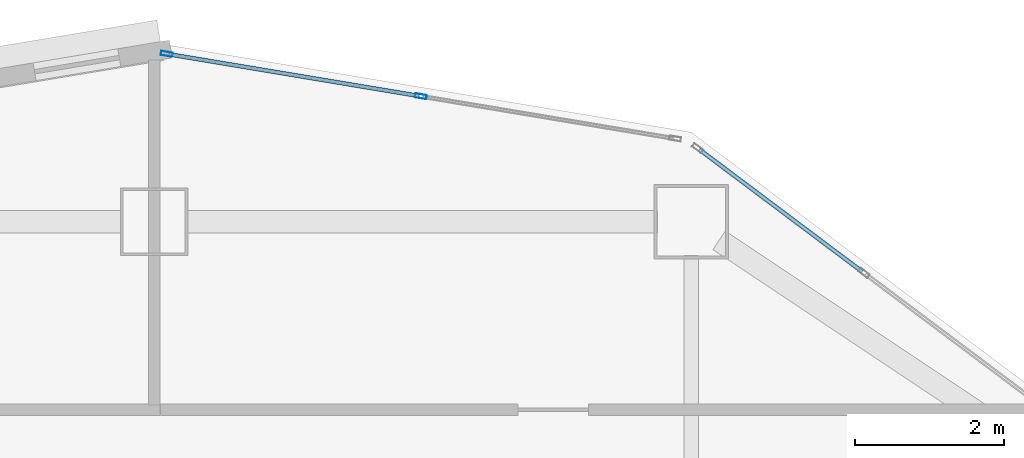
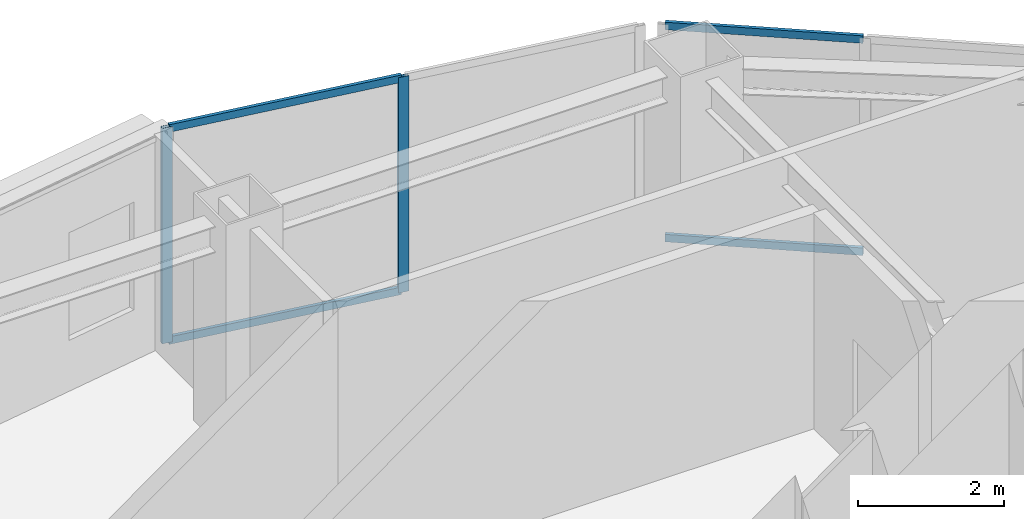
# One storey, part 2 of 13: 6 members, 2 elements without a shape of their own.
"""IFC4 building model written with IfcOpenShell, lengths in metres."""

from ifc_helpers import new_model, si_unit, direction, frame, origin, origin_2d, place, context, subcontext, project, spatial, hollow_rectangle, extrude, material, layer, layer_set, material_profile, profile_set, type_object, element, aggregate, save


model = new_model("IFC4")

# Units and contexts
model_context = context("Model", 3, precision=1e-05, world=origin(), true_north=direction((0.0, 1.0)))
body_context = subcontext(model_context, "Body", "Model", "MODEL_VIEW")
ifc_project = project(units=[si_unit("LENGTHUNIT", "METRE"), si_unit("AREAUNIT", "SQUARE_METRE"), si_unit("VOLUMEUNIT", "CUBIC_METRE"), si_unit("PLANEANGLEUNIT", "RADIAN"), si_unit("MASSUNIT", "GRAM", prefix="KILO")], contexts=[model_context])

# Site, building, storey
site_placement = place(None, origin())
site = spatial("IfcSite", under=ifc_project, at=site_placement, CompositionType="ELEMENT")
building_placement = place(site_placement, origin())
building = spatial("IfcBuilding", under=site, at=building_placement, Name="Haolan Belvedere Tower", CompositionType="ELEMENT")
storey_placement = place(building_placement, frame((0.0, 0.0, 106.0)))
storey = spatial("IfcBuildingStorey", under=building, at=storey_placement, Name="L26", CompositionType="ELEMENT", Elevation=106.0)

# Curtain wall, members
ifc_material_1 = material(Name="Anodised champagne-silver aluminium 6063-T6 and Low-E glass", Category="aluminium")
ifc_layer = layer(ifc_material_1, 0.155029296875, Name="Anodised champagne-silver aluminium 6063-T6 and Low-E glass")
ifc_layer_set = layer_set([ifc_layer], Name="Anodised champagne-silver aluminium 6063-T6 and Low-E glass")
curtain_wall_type = type_object("IfcCurtainWallType", Name="CW-SYS-03", PredefinedType="NOTDEFINED", material=ifc_layer_set)
curtain_wall_1_placement = place(storey_placement, origin())
curtain_wall_1 = element("IfcCurtainWall", 1, at=curtain_wall_1_placement, inside=storey, type_object=curtain_wall_type, Name="L26 CW-SYS-03 ribbon curtain wall 27.1", PredefinedType="NOTDEFINED")
ifc_material_2 = material(Name="Anodised aluminium 6063-T6", Category="aluminium")
ifc_material_profile_1 = material_profile(ifc_material_2, hollow_rectangle(XDim=0.05810546875, YDim=0.155029296875, WallThickness=0.00390625, at=origin_2d()), Name="Anodised aluminium 6063-T6")
ifc_profile_set_1 = profile_set([ifc_material_profile_1], Name="Anodised aluminium 6063-T6")
member_type_1 = type_object("IfcMemberType", Name="CW-SYS-03-MUL", PredefinedType="MULLION", material=ifc_profile_set_1)
member_1_placement = place(storey_placement, frame((41.9755859375, 52.082275390625, 0.0), z_axis=(0.0, 0.0, 1.0), x_axis=(-0.16440364043, -0.9863931483, 0.0)))
member_1 = element("IfcMember", 2, at=member_1_placement, type_object=member_type_1, Name="CW-03 mullion 2", PredefinedType="MULLION", context=body_context, shape_type="SweptSolid", body=[
    extrude(hollow_rectangle(XDim=0.05810546875, YDim=0.155029296875, WallThickness=0.00390625, at=origin_2d()), origin(), (0.0, 0.0, 1.0), 3.60009765625),
])
member_2_placement = place(storey_placement, frame((38.566650390625, 52.650634765625, 0.0), z_axis=(0.0, 0.0, 1.0), x_axis=(-0.16440364043, -0.9863931483, 0.0)))
member_2 = element("IfcMember", 3, at=member_2_placement, type_object=member_type_1, Name="CW-03 mullion 3", PredefinedType="MULLION", context=body_context, shape_type="SweptSolid", body=[
    extrude(hollow_rectangle(XDim=0.05810546875, YDim=0.155029296875, WallThickness=0.00390625, at=origin_2d()), origin(), (0.0, 0.0, 1.0), 3.60009765625),
])

curtain_wall_2_placement = place(storey_placement, origin())
curtain_wall_2 = element("IfcCurtainWall", 4, at=curtain_wall_2_placement, inside=storey, type_object=curtain_wall_type, Name="L26 CW-SYS-03 ribbon curtain wall 26.1", PredefinedType="NOTDEFINED")
ifc_material_profile_2 = material_profile(ifc_material_2, hollow_rectangle(XDim=0.053955078125, YDim=0.125, WallThickness=0.00390625, at=origin_2d()), Name="Anodised aluminium 6063-T6")
ifc_profile_set_2 = profile_set([ifc_material_profile_2], Name="Anodised aluminium 6063-T6")
member_type_2 = type_object("IfcMemberType", Name="CW-SYS-03-TRN", PredefinedType="USERDEFINED", material=ifc_profile_set_2)
member_3_placement = place(storey_placement, frame((47.892578125, 49.730712890625, 0.027099609375), z_axis=(-0.800032211306, 0.59995704919, 0.0), x_axis=(-0.59995704919, -0.800032211306, 0.0)))
member_3 = element("IfcMember", 5, at=member_3_placement, type_object=member_type_2, Name="CW-03 transom 2.1", ObjectType="TRANSOM", PredefinedType="USERDEFINED", context=body_context, shape_type="SweptSolid", body=[
    extrude(hollow_rectangle(XDim=0.053955078125, YDim=0.125, WallThickness=0.00390625, at=origin_2d()), origin(), (0.0, 0.0, 1.0), 2.728515625),
])
member_4_placement = place(storey_placement, frame((47.892578125, 49.730712890625, 3.572998046875), z_axis=(-0.800032211306, 0.59995704919, 0.0), x_axis=(-0.59995704919, -0.800032211306, 0.0)))
member_4 = element("IfcMember", 6, at=member_4_placement, type_object=member_type_2, Name="CW-03 transom 2.2", ObjectType="TRANSOM", PredefinedType="USERDEFINED", context=body_context, shape_type="SweptSolid", body=[
    extrude(hollow_rectangle(XDim=0.053955078125, YDim=0.125, WallThickness=0.00390625, at=origin_2d()), origin(), (0.0, 0.0, 1.0), 2.728515625),
])
aggregate(curtain_wall_2, [member_3, member_4])

# Member
member_5_placement = place(storey_placement, frame((41.947021484375, 52.087158203125, 0.027099609375), z_axis=(-0.986395865591, 0.16438733633, 0.0), x_axis=(-0.16438733633, -0.986395865591, 0.0)))
member_5 = element("IfcMember", 7, at=member_5_placement, type_object=member_type_2, Name="CW-03 transom 2.1", ObjectType="TRANSOM", PredefinedType="USERDEFINED", context=body_context, shape_type="SweptSolid", body=[
    extrude(hollow_rectangle(XDim=0.053955078125, YDim=0.125, WallThickness=0.00390625, at=origin_2d()), origin(), (0.0, 0.0, 1.0), 3.39794921875),
])

member_6_placement = place(storey_placement, frame((41.947021484375, 52.087158203125, 3.572998046875), z_axis=(-0.986395865591, 0.16438733633, 0.0), x_axis=(-0.16438733633, -0.986395865591, 0.0)))
member_6 = element("IfcMember", 8, at=member_6_placement, type_object=member_type_2, Name="CW-03 transom 2.2", ObjectType="TRANSOM", PredefinedType="USERDEFINED", context=body_context, shape_type="SweptSolid", body=[
    extrude(hollow_rectangle(XDim=0.053955078125, YDim=0.125, WallThickness=0.00390625, at=origin_2d()), origin(), (0.0, 0.0, 1.0), 3.39794921875),
])

aggregate(curtain_wall_1, [member_1, member_2, member_5, member_6])

save(model, "model.ifc")
